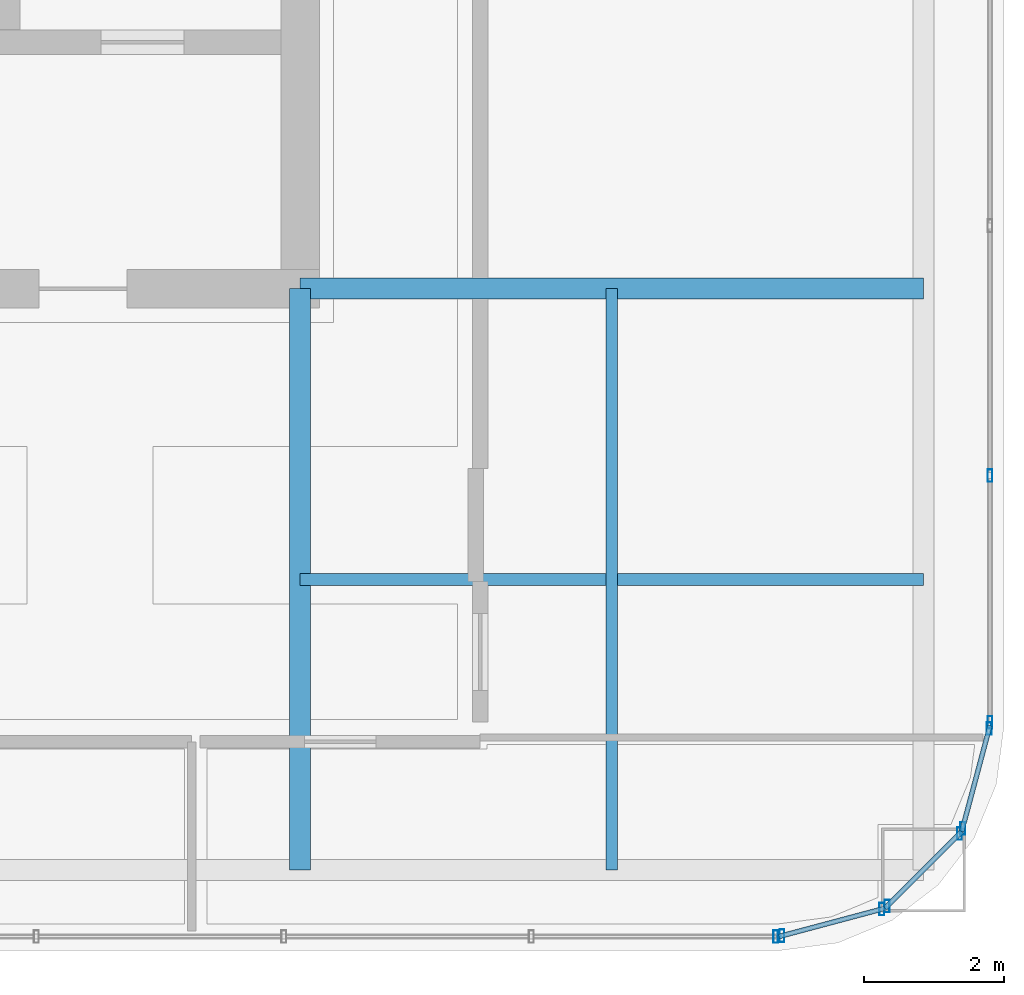
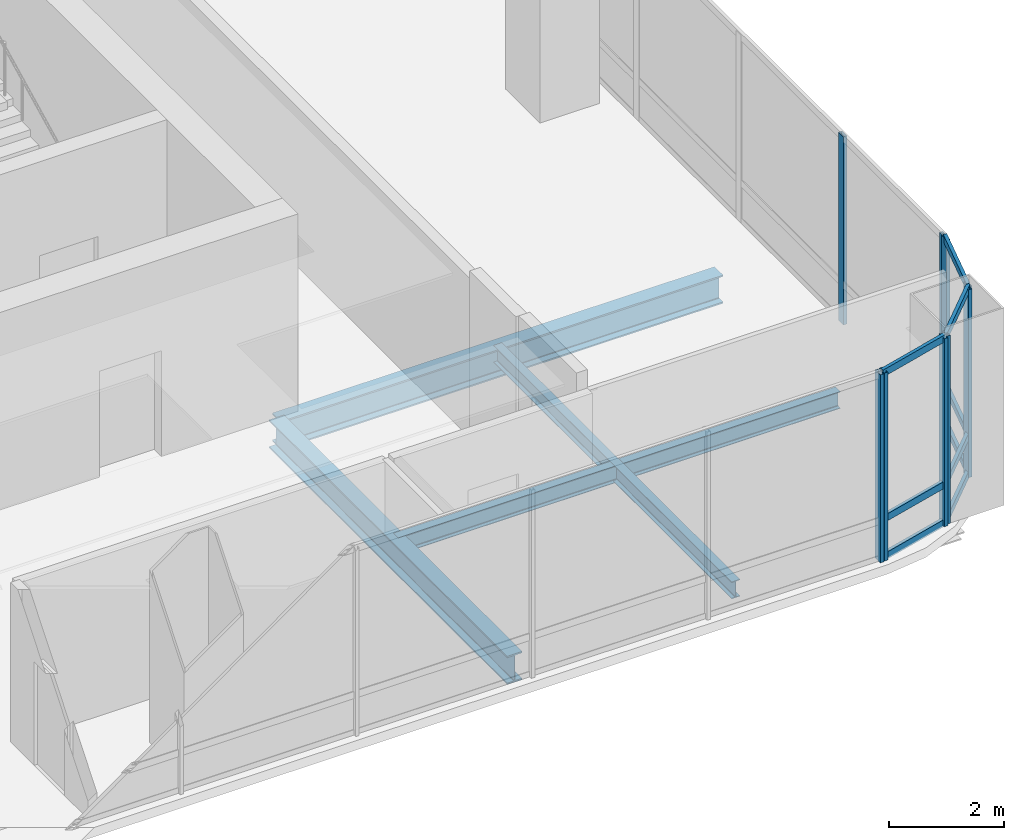
# One storey, part 16 of 42: 18 members, 4 beams, 5 elements without a shape of their own.
"""IFC4 building model written with IfcOpenShell, lengths in metres."""

from ifc_helpers import new_model, si_unit, direction, frame, origin, origin_2d, place, context, subcontext, project, spatial, hollow_rectangle, i_section, extrude, material, material_profile, profile_set, type_object, element, aggregate, save


model = new_model("IFC4")

# Units and contexts
model_context = context("Model", 3, precision=1e-05, world=origin(), true_north=direction((0.0, 1.0)))
body_context = subcontext(model_context, "Body", "Model", "MODEL_VIEW")
ifc_project = project(units=[si_unit("LENGTHUNIT", "METRE"), si_unit("AREAUNIT", "SQUARE_METRE"), si_unit("VOLUMEUNIT", "CUBIC_METRE"), si_unit("PLANEANGLEUNIT", "RADIAN"), si_unit("MASSUNIT", "GRAM", prefix="KILO")], contexts=[model_context])

# Site, building, storey
site_placement = place(None, origin())
site = spatial("IfcSite", under=ifc_project, at=site_placement, CompositionType="ELEMENT")
building_placement = place(site_placement, origin())
building = spatial("IfcBuilding", under=site, at=building_placement, Name="Punatoya Terracotta Tower", CompositionType="ELEMENT")
storey_placement = place(building_placement, frame((0.0, 0.0, 296.39990234375)))
storey = spatial("IfcBuildingStorey", under=building, at=storey_placement, Name="L70", CompositionType="ELEMENT", Elevation=296.39990234375)

# Beams
ifc_material_1 = material(Name="Steel S355", Category="steel")
ifc_material_profile_1 = material_profile(ifc_material_1, i_section(OverallWidth=0.300048828125, OverallDepth=0.60009765625, WebThickness=0.015380859375, FlangeThickness=0.030029296875, FilletRadius=0.01806640625, at=origin_2d()))
ifc_profile_set_1 = profile_set([ifc_material_profile_1], Name="Steel S355")
beam_type_1 = type_object("IfcBeamType", Name="BM-PRI-600", PredefinedType="BEAM", material=ifc_profile_set_1)
beam_1_placement = place(storey_placement, frame((10.199951171875, -9.199951171875, -0.5), z_axis=(1.0, 0.0, 0.0), x_axis=(0.0, 1.0, 0.0)))
element("IfcBeam", 1, at=beam_1_placement, inside=storey, type_object=beam_type_1, Name="BM-L70-PR-ES", PredefinedType="BEAM", context=body_context, shape_type="SweptSolid", body=[
    extrude(i_section(OverallWidth=0.300048828125, OverallDepth=0.60009765625, WebThickness=0.015380859375, FlangeThickness=0.030029296875, FilletRadius=0.01806640625, at=origin_2d()), origin(), (0.0, 0.0, 1.0), 8.900146484375),
])
beam_2_placement = place(storey_placement, frame((10.199951171875, -17.5, -0.5), z_axis=(0.0, 1.0, 0.0), x_axis=(-1.0, 0.0, 0.0)))
element("IfcBeam", 2, at=beam_2_placement, inside=storey, type_object=beam_type_1, Name="BM-L70-PR-S4", PredefinedType="BEAM", context=body_context, shape_type="SweptSolid", body=[
    extrude(i_section(OverallWidth=0.300048828125, OverallDepth=0.60009765625, WebThickness=0.015380859375, FlangeThickness=0.030029296875, FilletRadius=0.01806640625, at=origin_2d()), origin(), (0.0, 0.0, 1.0), 8.300048828125),
])
ifc_material_profile_2 = material_profile(ifc_material_1, i_section(OverallWidth=0.169921875, OverallDepth=0.360107421875, WebThickness=0.008056640625, FlangeThickness=0.0126953125, FilletRadius=0.01806640625, at=origin_2d()))
ifc_profile_set_2 = profile_set([ifc_material_profile_2], Name="Steel S355")
beam_type_2 = type_object("IfcBeamType", Name="BM-SEC-360", PredefinedType="JOIST", material=ifc_profile_set_2)
beam_3_placement = place(storey_placement, frame((10.199951171875, -13.35009765625, -0.3798828125), z_axis=(1.0, 0.0, 0.0), x_axis=(0.0, 1.0, 0.0)))
element("IfcBeam", 3, at=beam_3_placement, inside=storey, type_object=beam_type_2, Name="BM-L70-SJS-2", PredefinedType="JOIST", context=body_context, shape_type="SweptSolid", body=[
    extrude(i_section(OverallWidth=0.169921875, OverallDepth=0.360107421875, WebThickness=0.008056640625, FlangeThickness=0.0126953125, FilletRadius=0.01806640625, at=origin_2d()), origin(), (0.0, 0.0, 1.0), 8.900146484375),
])
beam_4_placement = place(storey_placement, frame((14.64990234375, -17.5, -0.3798828125), z_axis=(0.0, 1.0, 0.0), x_axis=(-1.0, 0.0, 0.0)))
element("IfcBeam", 4, at=beam_4_placement, inside=storey, type_object=beam_type_2, Name="BM-L70-SJE-1", PredefinedType="JOIST", context=body_context, shape_type="SweptSolid", body=[
    extrude(i_section(OverallWidth=0.169921875, OverallDepth=0.360107421875, WebThickness=0.008056640625, FlangeThickness=0.0126953125, FilletRadius=0.01806640625, at=origin_2d()), origin(), (0.0, 0.0, 1.0), 8.300048828125),
])

# Curtain wall, member
ifc_material_2 = material(Name="Aluminium 6063-T6 + Double Low-E Glass", Category="aluminium")
curtain_wall_type = type_object("IfcCurtainWallType", Name="CW-M3", PredefinedType="NOTDEFINED", material=ifc_material_2)
curtain_wall_1_placement = place(storey_placement, origin())
curtain_wall_1 = element("IfcCurtainWall", 5, at=curtain_wall_1_placement, inside=storey, type_object=curtain_wall_type, Name="L70 Curtain Wall CW-L70-S01-1", PredefinedType="NOTDEFINED")
ifc_material_3 = material(Name="Aluminium 6063-T6", Category="aluminium")
ifc_material_profile_3 = material_profile(ifc_material_3, hollow_rectangle(XDim=0.070068359375, YDim=0.179931640625, WallThickness=0.00390625, at=origin_2d()))
ifc_profile_set_3 = profile_set([ifc_material_profile_3], Name="Aluminium 6063-T6")
member_type_1 = type_object("IfcMemberType", Name="CW-MUL-M3", PredefinedType="MULLION", material=ifc_profile_set_3)
member_1_placement = place(storey_placement, frame((16.991943359375, -18.449951171875, 0.0), z_axis=(0.0, 0.0, 1.0), x_axis=(1.0, 0.0, 0.0)))
member_1 = element("IfcMember", 6, at=member_1_placement, type_object=member_type_1, Name="CW-L70-S01-1 Mullion 11", PredefinedType="MULLION", context=body_context, shape_type="SweptSolid", body=[
    extrude(hollow_rectangle(XDim=0.070068359375, YDim=0.179931640625, WallThickness=0.00390625, at=origin_2d()), origin(), (0.0, 0.0, 1.0), 4.0),
])
aggregate(curtain_wall_1, [member_1])

# Curtain wall, members
curtain_wall_2_placement = place(storey_placement, origin())
curtain_wall_2 = element("IfcCurtainWall", 7, at=curtain_wall_2_placement, inside=storey, type_object=curtain_wall_type, Name="L70 Curtain Wall CW-L70-CRN02", PredefinedType="NOTDEFINED")
member_2_placement = place(storey_placement, frame((17.080322265625, -18.4384765625, 0.0), z_axis=(0.0, 0.0, 1.0), x_axis=(1.0, 0.0, 0.0)))
member_2 = element("IfcMember", 8, at=member_2_placement, type_object=member_type_1, Name="CW-L70-CRN02 Mullion 00", PredefinedType="MULLION", context=body_context, shape_type="SweptSolid", body=[
    extrude(hollow_rectangle(XDim=0.070068359375, YDim=0.179931640625, WallThickness=0.00390625, at=origin_2d()), origin(), (0.0, 0.0, 1.0), 4.0),
])
member_3_placement = place(storey_placement, frame((18.505615234375, -18.05810546875, 0.0), z_axis=(0.0, 0.0, 1.0), x_axis=(1.0, 0.0, 0.0)))
member_3 = element("IfcMember", 9, at=member_3_placement, type_object=member_type_1, Name="CW-L70-CRN02 Mullion 01", PredefinedType="MULLION", context=body_context, shape_type="SweptSolid", body=[
    extrude(hollow_rectangle(XDim=0.070068359375, YDim=0.179931640625, WallThickness=0.00390625, at=origin_2d()), origin(), (0.0, 0.0, 1.0), 4.0),
])

curtain_wall_3_placement = place(storey_placement, origin())
curtain_wall_3 = element("IfcCurtainWall", 10, at=curtain_wall_3_placement, inside=storey, type_object=curtain_wall_type, Name="L70 Curtain Wall CW-L70-CRN03", PredefinedType="NOTDEFINED")
member_4_placement = place(storey_placement, frame((18.580810546875, -18.014892578125, 0.0), z_axis=(0.0, 0.0, 1.0), x_axis=(1.0, 0.0, 0.0)))
member_4 = element("IfcMember", 11, at=member_4_placement, type_object=member_type_1, Name="CW-L70-CRN03 Mullion 00", PredefinedType="MULLION", context=body_context, shape_type="SweptSolid", body=[
    extrude(hollow_rectangle(XDim=0.070068359375, YDim=0.179931640625, WallThickness=0.00390625, at=origin_2d()), origin(), (0.0, 0.0, 1.0), 4.0),
])
member_5_placement = place(storey_placement, frame((19.61474609375, -16.98095703125, 0.0), z_axis=(0.0, 0.0, 1.0), x_axis=(1.0, 0.0, 0.0)))
member_5 = element("IfcMember", 12, at=member_5_placement, type_object=member_type_1, Name="CW-L70-CRN03 Mullion 01", PredefinedType="MULLION", context=body_context, shape_type="SweptSolid", body=[
    extrude(hollow_rectangle(XDim=0.070068359375, YDim=0.179931640625, WallThickness=0.00390625, at=origin_2d()), origin(), (0.0, 0.0, 1.0), 4.0),
])

curtain_wall_4_placement = place(storey_placement, origin())
curtain_wall_4 = element("IfcCurtainWall", 13, at=curtain_wall_4_placement, inside=storey, type_object=curtain_wall_type, Name="L70 Curtain Wall CW-L70-CRN04", PredefinedType="NOTDEFINED")
member_6_placement = place(storey_placement, frame((19.658203125, -16.905517578125, 0.0), z_axis=(0.0, 0.0, 1.0), x_axis=(1.0, 0.0, 0.0)))
member_6 = element("IfcMember", 14, at=member_6_placement, type_object=member_type_1, Name="CW-L70-CRN04 Mullion 00", PredefinedType="MULLION", context=body_context, shape_type="SweptSolid", body=[
    extrude(hollow_rectangle(XDim=0.070068359375, YDim=0.179931640625, WallThickness=0.00390625, at=origin_2d()), origin(), (0.0, 0.0, 1.0), 4.0),
])
member_7_placement = place(storey_placement, frame((20.038330078125, -15.48046875, 0.0), z_axis=(0.0, 0.0, 1.0), x_axis=(1.0, 0.0, 0.0)))
member_7 = element("IfcMember", 15, at=member_7_placement, type_object=member_type_1, Name="CW-L70-CRN04 Mullion 01", PredefinedType="MULLION", context=body_context, shape_type="SweptSolid", body=[
    extrude(hollow_rectangle(XDim=0.070068359375, YDim=0.179931640625, WallThickness=0.00390625, at=origin_2d()), origin(), (0.0, 0.0, 1.0), 4.0),
])

curtain_wall_5_placement = place(storey_placement, origin())
curtain_wall_5 = element("IfcCurtainWall", 16, at=curtain_wall_5_placement, inside=storey, type_object=curtain_wall_type, Name="L70 Curtain Wall CW-L70-E05-1", PredefinedType="NOTDEFINED")
member_8_placement = place(storey_placement, frame((20.050048828125, -15.391845703125, 0.0), z_axis=(0.0, 0.0, 1.0), x_axis=(1.0, 0.0, 0.0)))
member_8 = element("IfcMember", 17, at=member_8_placement, type_object=member_type_1, Name="CW-L70-E05-1 Mullion 00", PredefinedType="MULLION", context=body_context, shape_type="SweptSolid", body=[
    extrude(hollow_rectangle(XDim=0.070068359375, YDim=0.179931640625, WallThickness=0.00390625, at=origin_2d()), origin(), (0.0, 0.0, 1.0), 4.0),
])
member_9_placement = place(storey_placement, frame((20.050048828125, -11.869384765625, 0.0), z_axis=(0.0, 0.0, 1.0), x_axis=(1.0, 0.0, 0.0)))
member_9 = element("IfcMember", 18, at=member_9_placement, type_object=member_type_1, Name="CW-L70-E05-1 Mullion 01", PredefinedType="MULLION", context=body_context, shape_type="SweptSolid", body=[
    extrude(hollow_rectangle(XDim=0.070068359375, YDim=0.179931640625, WallThickness=0.00390625, at=origin_2d()), origin(), (0.0, 0.0, 1.0), 4.0),
])
aggregate(curtain_wall_5, [member_8, member_9])

# Member
ifc_material_profile_4 = material_profile(ifc_material_3, hollow_rectangle(XDim=0.068115234375, YDim=0.14990234375, WallThickness=0.00390625, at=origin_2d()))
ifc_profile_set_4 = profile_set([ifc_material_profile_4], Name="Aluminium 6063-T6")
member_type_2 = type_object("IfcMemberType", Name="CW-TRN-TYP", PredefinedType="USERDEFINED", material=ifc_profile_set_4)
member_10_placement = place(storey_placement, frame((17.036865234375, -18.449951171875, 0.0400390625), z_axis=(0.966224582397, 0.257701486942, 0.0), x_axis=(-0.257701486942, 0.966224582397, 0.0)))
member_10 = element("IfcMember", 19, at=member_10_placement, type_object=member_type_2, Name="CW-L70-CRN02 Transom 1", ObjectType="TRANSOM", PredefinedType="USERDEFINED", context=body_context, shape_type="SweptSolid", body=[
    extrude(hollow_rectangle(XDim=0.068115234375, YDim=0.14990234375, WallThickness=0.00390625, at=origin_2d()), origin(), (0.0, 0.0, 1.0), 1.565185546875),
])

member_11_placement = place(storey_placement, frame((17.036865234375, -18.449951171875, 0.85009765625), z_axis=(0.966224582397, 0.257701486942, 0.0), x_axis=(-0.257701486942, 0.966224582397, 0.0)))
member_11 = element("IfcMember", 20, at=member_11_placement, type_object=member_type_2, Name="CW-L70-CRN02 Transom 2", ObjectType="TRANSOM", PredefinedType="USERDEFINED", context=body_context, shape_type="SweptSolid", body=[
    extrude(hollow_rectangle(XDim=0.068115234375, YDim=0.14990234375, WallThickness=0.00390625, at=origin_2d()), origin(), (0.0, 0.0, 1.0), 1.565185546875),
])

member_12_placement = place(storey_placement, frame((17.036865234375, -18.449951171875, 3.960205078125), z_axis=(0.966224582397, 0.257701486942, 0.0), x_axis=(-0.257701486942, 0.966224582397, 0.0)))
member_12 = element("IfcMember", 21, at=member_12_placement, type_object=member_type_2, Name="CW-L70-CRN02 Transom 3", ObjectType="TRANSOM", PredefinedType="USERDEFINED", context=body_context, shape_type="SweptSolid", body=[
    extrude(hollow_rectangle(XDim=0.068115234375, YDim=0.14990234375, WallThickness=0.00390625, at=origin_2d()), origin(), (0.0, 0.0, 1.0), 1.565185546875),
])

aggregate(curtain_wall_2, [member_2, member_3, member_10, member_11, member_12])

member_13_placement = place(storey_placement, frame((18.549072265625, -18.046630859375, 0.0400390625), z_axis=(0.707106781187, 0.707106781187, 0.0), x_axis=(-0.707106781187, 0.707106781187, 0.0)))
member_13 = element("IfcMember", 22, at=member_13_placement, type_object=member_type_2, Name="CW-L70-CRN03 Transom 1", ObjectType="TRANSOM", PredefinedType="USERDEFINED", context=body_context, shape_type="SweptSolid", body=[
    extrude(hollow_rectangle(XDim=0.068115234375, YDim=0.14990234375, WallThickness=0.00390625, at=origin_2d()), origin(), (0.0, 0.0, 1.0), 1.552001953125),
])

member_14_placement = place(storey_placement, frame((18.549072265625, -18.046630859375, 0.85009765625), z_axis=(0.707106781187, 0.707106781187, 0.0), x_axis=(-0.707106781187, 0.707106781187, 0.0)))
member_14 = element("IfcMember", 23, at=member_14_placement, type_object=member_type_2, Name="CW-L70-CRN03 Transom 2", ObjectType="TRANSOM", PredefinedType="USERDEFINED", context=body_context, shape_type="SweptSolid", body=[
    extrude(hollow_rectangle(XDim=0.068115234375, YDim=0.14990234375, WallThickness=0.00390625, at=origin_2d()), origin(), (0.0, 0.0, 1.0), 1.552001953125),
])

member_15_placement = place(storey_placement, frame((18.549072265625, -18.046630859375, 3.960205078125), z_axis=(0.707106781187, 0.707106781187, 0.0), x_axis=(-0.707106781187, 0.707106781187, 0.0)))
member_15 = element("IfcMember", 24, at=member_15_placement, type_object=member_type_2, Name="CW-L70-CRN03 Transom 3", ObjectType="TRANSOM", PredefinedType="USERDEFINED", context=body_context, shape_type="SweptSolid", body=[
    extrude(hollow_rectangle(XDim=0.068115234375, YDim=0.14990234375, WallThickness=0.00390625, at=origin_2d()), origin(), (0.0, 0.0, 1.0), 1.552001953125),
])

aggregate(curtain_wall_3, [member_4, member_5, member_13, member_14, member_15])

member_16_placement = place(storey_placement, frame((19.646484375, -16.94921875, 0.0400390625), z_axis=(0.257847112249, 0.966185730957, 0.0), x_axis=(-0.966185730957, 0.257847112249, 0.0)))
member_16 = element("IfcMember", 25, at=member_16_placement, type_object=member_type_2, Name="CW-L70-CRN04 Transom 1", ObjectType="TRANSOM", PredefinedType="USERDEFINED", context=body_context, shape_type="SweptSolid", body=[
    extrude(hollow_rectangle(XDim=0.068115234375, YDim=0.14990234375, WallThickness=0.00390625, at=origin_2d()), origin(), (0.0, 0.0, 1.0), 1.565185546875),
])

member_17_placement = place(storey_placement, frame((19.646484375, -16.94921875, 0.85009765625), z_axis=(0.257847112249, 0.966185730957, 0.0), x_axis=(-0.966185730957, 0.257847112249, 0.0)))
member_17 = element("IfcMember", 26, at=member_17_placement, type_object=member_type_2, Name="CW-L70-CRN04 Transom 2", ObjectType="TRANSOM", PredefinedType="USERDEFINED", context=body_context, shape_type="SweptSolid", body=[
    extrude(hollow_rectangle(XDim=0.068115234375, YDim=0.14990234375, WallThickness=0.00390625, at=origin_2d()), origin(), (0.0, 0.0, 1.0), 1.565185546875),
])

member_18_placement = place(storey_placement, frame((19.646484375, -16.94921875, 3.960205078125), z_axis=(0.257847112249, 0.966185730957, 0.0), x_axis=(-0.966185730957, 0.257847112249, 0.0)))
member_18 = element("IfcMember", 27, at=member_18_placement, type_object=member_type_2, Name="CW-L70-CRN04 Transom 3", ObjectType="TRANSOM", PredefinedType="USERDEFINED", context=body_context, shape_type="SweptSolid", body=[
    extrude(hollow_rectangle(XDim=0.068115234375, YDim=0.14990234375, WallThickness=0.00390625, at=origin_2d()), origin(), (0.0, 0.0, 1.0), 1.565185546875),
])

aggregate(curtain_wall_4, [member_6, member_7, member_16, member_17, member_18])

save(model, "model.ifc")
